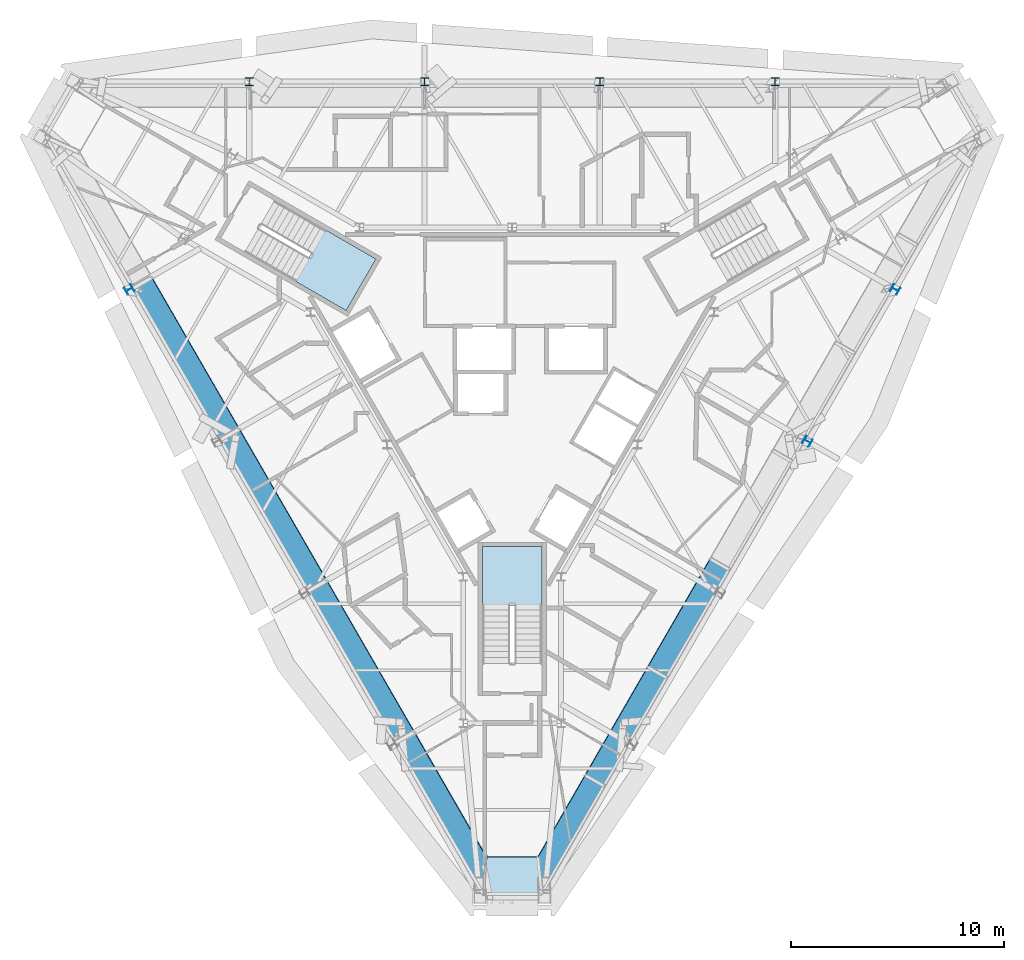
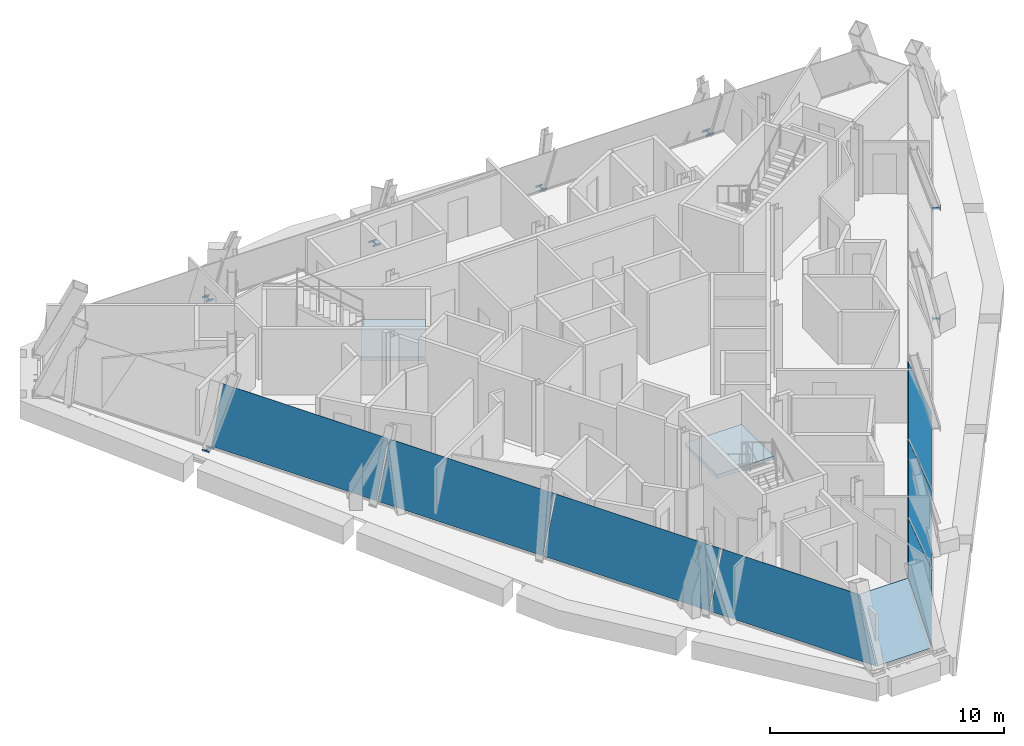
# One storey, part 5 of 13: 8 plates, 7 members, 2 slabs, 5 elements without a shape of their own.
"""IFC4 building model written with IfcOpenShell, lengths in metres."""

from ifc_helpers import new_model, si_unit, direction, frame, origin, origin_2d, place, context, subcontext, project, spatial, polyline, i_section, outline, extrude, material, layer, layer_set, material_profile, profile_set, type_object, element, aggregate, save


model = new_model("IFC4")

# Units and contexts
model_context = context("Model", 3, precision=1e-05, world=origin(), true_north=direction((0.0, 1.0)))
body_context = subcontext(model_context, "Body", "Model", "MODEL_VIEW")
ifc_project = project(units=[si_unit("LENGTHUNIT", "METRE"), si_unit("AREAUNIT", "SQUARE_METRE"), si_unit("VOLUMEUNIT", "CUBIC_METRE"), si_unit("PLANEANGLEUNIT", "RADIAN"), si_unit("MASSUNIT", "GRAM", prefix="KILO")], contexts=[model_context])

# Site, building, storey
site_placement = place(None, origin())
site = spatial("IfcSite", under=ifc_project, at=site_placement, CompositionType="ELEMENT")
building_placement = place(site_placement, origin())
building = spatial("IfcBuilding", under=site, at=building_placement, Name="Verrane Prism Tower", CompositionType="ELEMENT")
storey_placement = place(building_placement, frame((0.0, 0.0, 304.699951171875)))
storey = spatial("IfcBuildingStorey", under=building, at=storey_placement, Name="L77", CompositionType="ELEMENT", Elevation=304.699951171875)

# Members
ifc_material_1 = material(Name="Steel A992", Category="steel")
ifc_material_profile = material_profile(ifc_material_1, i_section(OverallWidth=0.373291015625, OverallDepth=0.368408203125, WebThickness=0.014892578125, FlangeThickness=0.02392578125, FilletRadius=0.01513671875, at=origin_2d()), Name="W14x120")
ifc_profile_set = profile_set([ifc_material_profile], Name="Steel A992")
member_type = type_object("IfcMemberType", Name="Kink node W14x120", PredefinedType="COLLAR", material=ifc_profile_set)
member_1_placement = place(storey_placement, frame((12.353515625, 13.642578125, -0.054931640625), z_axis=(0.0, 0.0, 1.0), x_axis=(1.0, 0.0, 0.0)))
element("IfcMember", 1, at=member_1_placement, inside=storey, type_object=member_type, Name="Kink node PC11 L77", PredefinedType="COLLAR", context=body_context, shape_type="SweptSolid", body=[
    extrude(i_section(OverallWidth=0.373291015625, OverallDepth=0.368408203125, WebThickness=0.014892578125, FlangeThickness=0.02392578125, FilletRadius=0.01513671875, at=origin_2d()), origin(), (0.0, 0.0, 1.0), 0.10986328125),
])
for number, where, z_axis, x_axis, name in (
    (2, (4.1181640625, 13.643798828125, -0.044921875), (0.0, 0.0, 1.0), (1.0, 0.0, 0.0), "Kink node PC11 L77"),
    (3, (-4.1181640625, 13.643798828125, -0.044921875), (0.0, 0.0, 1.0), (1.0, 0.0, 0.0), "Kink node PC11 L77"),
):
    element("IfcMember", number, at=place(storey_placement, frame(where, z_axis=z_axis, x_axis=x_axis)), inside=storey, type_object=member_type, Name=name, PredefinedType="COLLAR", context=body_context, shape_type="SweptSolid", body=[
        extrude(i_section(OverallWidth=0.373291015625, OverallDepth=0.368408203125, WebThickness=0.014892578125, FlangeThickness=0.02392578125, FilletRadius=0.01513671875, at=origin_2d()), origin(), (0.0, 0.0, 1.0), 0.090087890625),
    ])
member_2_placement = place(storey_placement, frame((-12.353515625, 13.642578125, -0.054931640625), z_axis=(0.0, 0.0, 1.0), x_axis=(1.0, 0.0, 0.0)))
element("IfcMember", 4, at=member_2_placement, inside=storey, type_object=member_type, Name="Kink node PC11 L77", PredefinedType="COLLAR", context=body_context, shape_type="SweptSolid", body=[
    extrude(i_section(OverallWidth=0.373291015625, OverallDepth=0.368408203125, WebThickness=0.014892578125, FlangeThickness=0.02392578125, FilletRadius=0.01513671875, at=origin_2d()), origin(), (0.0, 0.0, 1.0), 0.10986328125),
])
member_3_placement = place(storey_placement, frame((13.873779296875, -3.25830078125, -0.044921875), z_axis=(0.0, 0.0, 1.0), x_axis=(-0.5, -0.866025403784, 0.0)))
element("IfcMember", 5, at=member_3_placement, inside=storey, type_object=member_type, Name="Kink node PC11 L77", PredefinedType="COLLAR", context=body_context, shape_type="SweptSolid", body=[
    extrude(i_section(OverallWidth=0.373291015625, OverallDepth=0.368408203125, WebThickness=0.014892578125, FlangeThickness=0.02392578125, FilletRadius=0.01513671875, at=origin_2d()), origin(), (0.0, 0.0, 1.0), 0.090087890625),
])
for number, where, z_axis, x_axis, name in (
    (6, (17.990478515625, 3.878173828125, -0.054931640625), (0.0, 0.0, 1.0), (-0.5, -0.866025403784, 0.0), "Kink node PC11 L77"),
    (7, (-17.990478515625, 3.878173828125, -0.054931640625), (0.0, 0.0, 1.0), (-0.5, 0.866025403784, 0.0), "Kink node PC11 L77"),
):
    element("IfcMember", number, at=place(storey_placement, frame(where, z_axis=z_axis, x_axis=x_axis)), inside=storey, type_object=member_type, Name=name, PredefinedType="COLLAR", context=body_context, shape_type="SweptSolid", body=[
        extrude(i_section(OverallWidth=0.373291015625, OverallDepth=0.368408203125, WebThickness=0.014892578125, FlangeThickness=0.02392578125, FilletRadius=0.01513671875, at=origin_2d()), origin(), (0.0, 0.0, 1.0), 0.10986328125),
    ])

# Curtain wall, plates
ifc_material_2 = material(Name="Aluminium framed insulated glazing", Category="aluminium")
curtain_wall_type_1 = type_object("IfcCurtainWallType", Name="Curtain wall CW-B 5600 module", PredefinedType="NOTDEFINED", material=ifc_material_2)
curtain_wall_1_placement = place(storey_placement, origin())
curtain_wall_1 = element("IfcCurtainWall", 8, at=curtain_wall_1_placement, inside=storey, type_object=curtain_wall_type_1, Name="Glazed curtain wall south-east face L77", PredefinedType="NOTDEFINED")
ifc_material_3 = material(Name="Low-iron insulating glass unit", Category="glass")
ifc_layer_1 = layer(ifc_material_3, 0.028076171875)
ifc_layer_set_1 = layer_set([ifc_layer_1], Name="Glazing panel IGU 28")
plate_type_1 = type_object("IfcPlateType", Name="Glazing panel IGU 28", PredefinedType="CURTAIN_PANEL", material=ifc_layer_set_1)
plate_1_placement = place(storey_placement, frame((1.402587890625, -24.465087890625, 0.06005859375), z_axis=(0.810739101499, -0.468097546947, 0.351549137167), x_axis=(0.500012051719, 0.866018445595, 5.087325e-06)))
plate_1 = element("IfcPlate", 9, at=plate_1_placement, type_object=plate_type_1, Name="CW75.6 panel 1", PredefinedType="CURTAIN_PANEL", context=body_context, shape_type="SweptSolid", body=[
    extrude(outline(polyline([(0.0, 0.0), (5.780269745292649, 1.1102230246251565e-16), (5.78029868124849, 2.8446309419617255), (1.4021554859734633, 2.8446861447357996), (0.0, 0.0)])), origin(), (0.0, 0.0, -1.0), 0.028076171875),
])
plate_2_placement = place(storey_placement, frame((4.32275390625, -19.4072265625, 0.06005859375), z_axis=(0.810749407554, -0.468075909718, 0.351554179171), x_axis=(0.499993552228, 0.866029126354, -5.987952e-06)))
plate_2 = element("IfcPlate", 10, at=plate_2_placement, type_object=plate_type_1, Name="CW75.6 panel 2", PredefinedType="CURTAIN_PANEL", context=body_context, shape_type="SweptSolid", body=[
    extrude(outline(polyline([(0.0, 0.0), (5.810461326857559, 1.1102230246251565e-16), (5.810360059982973, 2.84470527097363), (2.080186375129223e-05, 2.8446309415410522), (0.0, 0.0)])), origin(), (0.0, 0.0, -1.0), 0.028076171875),
])
plate_3_placement = place(storey_placement, frame((7.2578125, -14.3232421875, 0.06005859375), z_axis=(0.810741648134, -0.468113809451, 0.351521608699), x_axis=(0.500025556299, 0.866010648346, 0.0)))
plate_3 = element("IfcPlate", 11, at=plate_3_placement, type_object=plate_type_1, Name="CW75.6 panel 3", PredefinedType="CURTAIN_PANEL", context=body_context, shape_type="SweptSolid", body=[
    extrude(outline(polyline([(0.0, 0.0), (5.810249898037069, 0.0), (5.810249692866394, 2.844630943338725), (-2.0517067528612973e-07, 2.844630943338725), (0.0, 0.0)])), origin(), (0.0, 0.0, -1.0), 0.028076171875),
])
aggregate(curtain_wall_1, [plate_1, plate_2, plate_3])

# Curtain wall, plate
ifc_material_4 = material(Name="Aluminium framed insulated glazing", Category="aluminium")
curtain_wall_type_2 = type_object("IfcCurtainWallType", Name="Curtain wall CW-A 8400 module", PredefinedType="NOTDEFINED", material=ifc_material_4)
curtain_wall_2_placement = place(storey_placement, origin())
curtain_wall_2 = element("IfcCurtainWall", 12, at=curtain_wall_2_placement, inside=storey, type_object=curtain_wall_type_2, Name="Glazed curtain wall south-west face L77", PredefinedType="NOTDEFINED")
ifc_material_5 = material(Name="Low-iron insulating glass unit", Category="glass")
ifc_layer_2 = layer(ifc_material_5, 0.031982421875)
ifc_layer_set_2 = layer_set([ifc_layer_2], Name="Glazing panel IGU 32")
plate_type_2 = type_object("IfcPlateType", Name="Glazing panel IGU 32", PredefinedType="CURTAIN_PANEL", material=ifc_layer_set_2)
plate_4_placement = place(storey_placement, frame((-5.46435546875, -17.429931640625, 0.070068359375), z_axis=(-0.810373618404, -0.467856232634, 0.352711134188), x_axis=(0.499991016032, -0.866030590605, 4.874709e-06)))
plate_4 = element("IfcPlate", 13, at=plate_4_placement, type_object=plate_type_2, Name="CW75.4 panel 5", PredefinedType="CURTAIN_PANEL", context=body_context, shape_type="SweptSolid", body=[
    extrude(outline(polyline([(0.0, 0.0), (8.183557481290737, 0.0), (6.751424035850666, 2.8352589560786314), (9.532441123038023e-05, 2.835336759564311), (0.0, 0.0)])), origin(), (0.0, 0.0, -1.0), 0.031982421875),
])

curtain_wall_3_placement = place(storey_placement, origin())
curtain_wall_3 = element("IfcCurtainWall", 14, at=curtain_wall_3_placement, inside=storey, type_object=curtain_wall_type_2, Name="Glazed curtain wall south corner L77", PredefinedType="NOTDEFINED")
plate_5_placement = place(storey_placement, frame((-1.302490234375, -24.51708984375, 0.070068359375), z_axis=(0.0, -0.836170320552, 0.548469867019), x_axis=(1.0, 0.0, 0.0)))
plate_5 = element("IfcPlate", 15, at=plate_5_placement, type_object=plate_type_2, Name="CW75.5 panel 1", PredefinedType="CURTAIN_PANEL", context=body_context, shape_type="SweptSolid", body=[
    extrude(outline(polyline([(0.0, 0.0), (2.675048828125, 0.0), (2.525146484375, 3.1728896693239346), (0.114990234375, 3.1728896693239346), (0.0, 0.0)])), origin(), (0.0, 0.0, -1.0), 0.031982421875),
])
aggregate(curtain_wall_3, [plate_5])

# Stair, slab
ifc_material_6 = material(Name="Concrete C40/50", Category="concrete")
stair_type = type_object("IfcStairType", Name="Exit stair 1300 dog-leg precast concrete C40/50", PredefinedType="HALF_TURN_STAIR", material=ifc_material_6)
stair_1_placement = place(storey_placement, origin())
stair_1 = element("IfcStair", 16, at=stair_1_placement, inside=storey, type_object=stair_type, Name="Stair 2 L77", PredefinedType="HALF_TURN_STAIR")
ifc_material_7 = material(Name="Concrete C40/50", Category="concrete")
ifc_layer_3 = layer(ifc_material_7, 0.199951171875)
ifc_layer_set_3 = layer_set([ifc_layer_3], Name="Stair landing 200 precast concrete C40/50")
slab_type = type_object("IfcSlabType", Name="Stair landing 200 precast concrete C40/50", PredefinedType="LANDING", material=ifc_layer_set_3)
slab_1_placement = place(storey_placement, frame((0.0, 0.0, 1.650146484375)))
slab_1 = element("IfcSlab", 17, at=slab_1_placement, type_object=slab_type, Name="Stair 2 landing 1", PredefinedType="LANDING", context=body_context, shape_type="SweptSolid", body=[
    extrude(outline(polyline([(-10.191650390625, 4.267578125), (-7.801513671875, 2.887451171875), (-6.4013671875, 5.3125), (-8.791748046875, 6.6923828125), (-10.191650390625, 4.267578125)])), origin(), (0.0, 0.0, 1.0), 0.199951171875),
])
aggregate(stair_1, [slab_1])

stair_2_placement = place(storey_placement, origin())
stair_2 = element("IfcStair", 18, at=stair_2_placement, inside=storey, type_object=stair_type, Name="Stair 3 L77", PredefinedType="HALF_TURN_STAIR")
slab_2_placement = place(storey_placement, frame((0.0, 0.0, 1.650146484375)))
slab_2 = element("IfcSlab", 19, at=slab_2_placement, type_object=slab_type, Name="Stair 3 landing 1", PredefinedType="LANDING", context=body_context, shape_type="SweptSolid", body=[
    extrude(outline(polyline([(1.39990234375, -10.9599609375), (1.39990234375, -8.199951171875), (-1.39990234375, -8.199951171875), (-1.39990234375, -10.9599609375), (1.39990234375, -10.9599609375)])), origin(), (0.0, 0.0, 1.0), 0.199951171875),
])
aggregate(stair_2, [slab_2])

# Plate
ifc_material_8 = material(Name="Warm limestone cladding", Category="masonry")
ifc_layer_4 = layer(ifc_material_8, 0.028076171875)
ifc_layer_set_4 = layer_set([ifc_layer_4], Name="Stone-faced spandrel panel 28")
plate_type_3 = type_object("IfcPlateType", Name="Stone-faced spandrel panel 28", PredefinedType="CURTAIN_PANEL", material=ifc_layer_set_4)
plate_6_placement = place(storey_placement, frame((-17.7919921875, 3.922119140625, 0.070068359375), z_axis=(-0.810373783168, -0.467877030636, 0.35268316625), x_axis=(0.500006018292, -0.866021929094, 0.0)))
plate_6 = element("IfcPlate", 20, at=plate_6_placement, type_object=plate_type_3, Name="CW75.4 panel 2", PredefinedType="CURTAIN_PANEL", context=body_context, shape_type="SweptSolid", body=[
    extrude(outline(polyline([(0.0, 0.0), (8.148339421824055, -2.220446049250313e-16), (8.148317067355862, 2.8352621865642567), (-2.2354468193264143e-05, 2.835262186564257), (0.0, 0.0)])), origin(), (0.0, 0.0, -1.0), 0.028076171875),
])

plate_7_placement = place(storey_placement, frame((-13.682861328125, -3.1953125, 0.070068359375), z_axis=(-0.810352468695, -0.467864724522, 0.352748459994), x_axis=(0.500006018292, -0.866021929094, 0.0)))
plate_7 = element("IfcPlate", 21, at=plate_7_placement, type_object=plate_type_3, Name="CW75.4 panel 3", PredefinedType="CURTAIN_PANEL", context=body_context, shape_type="SweptSolid", body=[
    extrude(outline(polyline([(0.0, 0.0), (8.148339421824055, -4.440892098500626e-16), (8.14843913913767, 2.8353367616690597), (9.971731361640622e-05, 2.83533676166906), (0.0, 0.0)])), origin(), (0.0, 0.0, -1.0), 0.028076171875),
])

plate_8_placement = place(storey_placement, frame((-9.573486328125, -10.3125, 0.070068359375), z_axis=(-0.810380792293, -0.467864890565, 0.352683166112), x_axis=(0.499993044538, -0.866029419485, 0.0)))
plate_8 = element("IfcPlate", 22, at=plate_8_placement, type_object=plate_type_3, Name="CW75.4 panel 4", PredefinedType="CURTAIN_PANEL", context=body_context, shape_type="SweptSolid", body=[
    extrude(outline(polyline([(0.0, 0.0), (8.148550853873454, 0.0), (8.14851351936915, 2.835262186406575), (-3.733450430503858e-05, 2.8352621864065743), (0.0, 0.0)])), origin(), (0.0, 0.0, -1.0), 0.028076171875),
])

aggregate(curtain_wall_2, [plate_6, plate_7, plate_8, plate_4])

save(model, "model.ifc")
